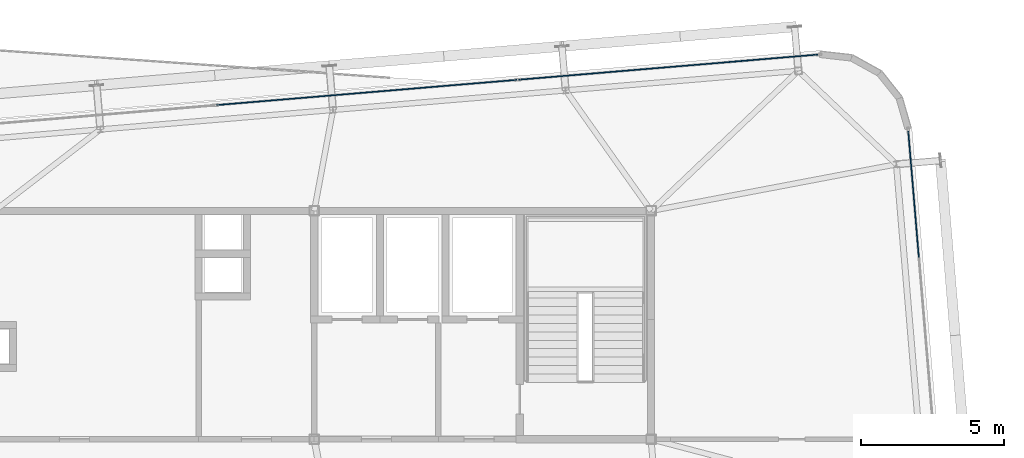
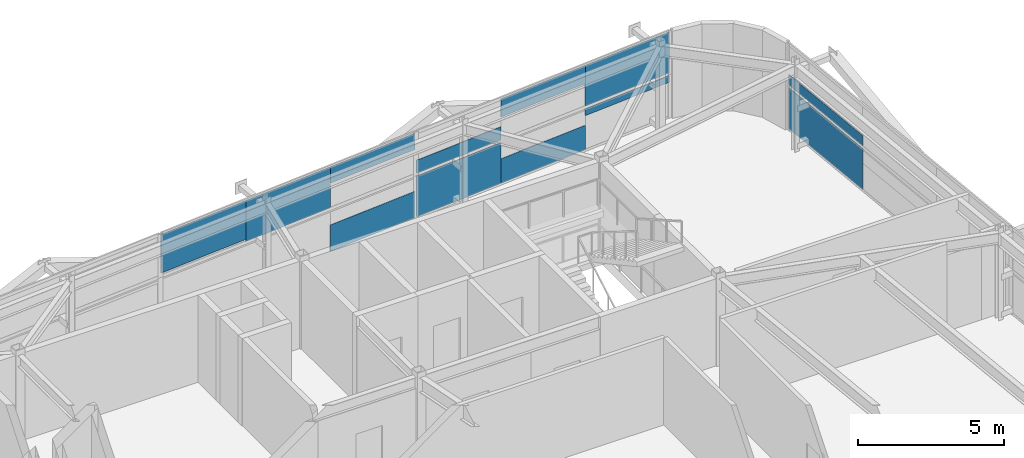
# One storey, part 24 of 38: 12 plates, 4 elements without a shape of their own.
"""IFC4 building model written with IfcOpenShell, lengths in metres."""

from ifc_helpers import new_model, si_unit, direction, frame, origin, origin_2d, place, context, subcontext, project, spatial, rectangle, extrude, source, transform, mapped, material, layer, layer_set, type_object, element, aggregate, save


model = new_model("IFC4")

# Units and contexts
model_context = context("Model", 3, precision=1e-05, world=origin(), true_north=direction((0.0, 1.0)))
body_context = subcontext(model_context, "Body", "Model", "MODEL_VIEW")
ifc_project = project(units=[si_unit("LENGTHUNIT", "METRE"), si_unit("AREAUNIT", "SQUARE_METRE"), si_unit("VOLUMEUNIT", "CUBIC_METRE"), si_unit("PLANEANGLEUNIT", "RADIAN"), si_unit("MASSUNIT", "GRAM", prefix="KILO")], contexts=[model_context])

# Site, building, storey
site_placement = place(None, origin())
site = spatial("IfcSite", under=ifc_project, at=site_placement, CompositionType="ELEMENT")
building_placement = place(site_placement, origin())
building = spatial("IfcBuilding", under=site, at=building_placement, Name="Taldren Reach Tower", CompositionType="ELEMENT")
storey_placement = place(building_placement, frame((0.0, 0.0, 168.699951171875)))
storey = spatial("IfcBuildingStorey", under=building, at=storey_placement, Name="L51", CompositionType="ELEMENT", Elevation=168.699951171875)

# Curtain wall, plates
ifc_material_1 = material(Name="Aluminium and Low-E Glass Unitised System", Category="aluminium")
ifc_layer_1 = layer(ifc_material_1, 0.159912109375)
ifc_layer_set_1 = layer_set([ifc_layer_1], Name="Aluminium and Low-E Glass Unitised System")
curtain_wall_type = type_object("IfcCurtainWallType", Name="CW-SYS-7", PredefinedType="NOTDEFINED", material=ifc_layer_set_1)
curtain_wall_1_placement = place(storey_placement, origin())
curtain_wall_1 = element("IfcCurtainWall", 1, at=curtain_wall_1_placement, inside=storey, type_object=curtain_wall_type, Name="Unitised curtain wall CW-L51-N", PredefinedType="NOTDEFINED")
ifc_material_2 = material(Name="Acoustic Triple-Laminated IGU", Category="glass")
ifc_layer_2 = layer(ifc_material_2, 0.035888671875)
ifc_layer_set_2 = layer_set([ifc_layer_2], Name="Acoustic Triple-Laminated IGU")
plate_type = type_object("IfcPlateType", Name="CW-PNL-IGU36", PredefinedType="CURTAIN_PANEL", material=ifc_layer_set_2)
shared_shape_1 = source(origin(), body_context, "Body", "SweptSolid", [
    extrude(rectangle(XDim=3.504150390625, YDim=0.035888671875, at=origin_2d()), origin(), (0.0, 0.0, 1.0), 0.27392578125),
])
plate_1_placement = place(storey_placement, frame((55.09423828125, 37.328125, 1.481201171875), z_axis=(0.0, 0.0, 1.0), x_axis=(-0.99649285657, -0.083677875247, 0.0)))
plate_1 = element("IfcPlate", 2, at=plate_1_placement, type_object=plate_type, Name="CW-7 panel 1.1 part 1", PredefinedType="CURTAIN_PANEL", context=body_context, shape_type="MappedRepresentation", body=[
    mapped(shared_shape_1, transform((0.0, 0.0, 0.0), scale=1.0)),
])
shared_shape_2 = source(origin(), body_context, "Body", "SweptSolid", [
    extrude(rectangle(XDim=3.504150390625, YDim=0.035888671875, at=origin_2d()), origin(), (0.0, 0.0, 1.0), 1.025634765625),
])
plate_2_placement = place(storey_placement, frame((51.602294921875, 37.034912109375, 0.06005859375), z_axis=(0.0, 0.0, 1.0), x_axis=(-0.99649285657, -0.083677875247, 0.0)))
plate_2 = element("IfcPlate", 3, at=plate_2_placement, type_object=plate_type, Name="CW-7 panel 1.1 part 2", PredefinedType="CURTAIN_PANEL", context=body_context, shape_type="MappedRepresentation", body=[
    mapped(shared_shape_2, transform((0.0, 0.0, 0.0), scale=1.0)),
])
shared_shape_3 = source(origin(), body_context, "Body", "SweptSolid", [
    extrude(rectangle(XDim=3.504150390625, YDim=0.035888671875, at=origin_2d()), origin(), (0.0, 0.0, 1.0), 1.695068359375),
])
plate_3_placement = place(storey_placement, frame((48.1103515625, 36.74169921875, 0.06005859375), z_axis=(0.0, 0.0, 1.0), x_axis=(-0.99649285657, -0.083677875247, 0.0)))
plate_3 = element("IfcPlate", 4, at=plate_3_placement, type_object=plate_type, Name="CW-7 panel 1.1 part 3", PredefinedType="CURTAIN_PANEL", context=body_context, shape_type="MappedRepresentation", body=[
    mapped(shared_shape_3, transform((0.0, 0.0, 0.0), scale=1.0)),
])

# Curtain wall, plate
curtain_wall_2_placement = place(storey_placement, origin())
curtain_wall_2 = element("IfcCurtainWall", 5, at=curtain_wall_2_placement, inside=storey, type_object=curtain_wall_type, Name="Unitised curtain wall CW-L51-N-T2", PredefinedType="NOTDEFINED")
plate_4_placement = place(storey_placement, frame((55.09423828125, 37.328125, 1.875), z_axis=(0.0, 0.0, 1.0), x_axis=(-0.99649285657, -0.083677875247, 0.0)))
plate_4 = element("IfcPlate", 6, at=plate_4_placement, type_object=plate_type, Name="CW-7 panel 1.1 part 1", PredefinedType="CURTAIN_PANEL", context=body_context, shape_type="MappedRepresentation", body=[
    mapped(shared_shape_3, transform((0.0, 0.0, 0.0), scale=1.0)),
])

# Plate
shared_shape_4 = source(origin(), body_context, "Body", "SweptSolid", [
    extrude(rectangle(XDim=3.5166015625, YDim=0.035888671875, at=origin_2d()), origin(), (0.0, 0.0, 1.0), 1.102783203125),
])
plate_5_placement = place(storey_placement, frame((44.53759765625, 36.44189453125, 0.06005859375), z_axis=(0.0, 0.0, 1.0), x_axis=(-0.99649285657, -0.083677875247, 0.0)))
plate_5 = element("IfcPlate", 7, at=plate_5_placement, type_object=plate_type, Name="CW-7 panel 2.1 part 1", PredefinedType="CURTAIN_PANEL", context=body_context, shape_type="MappedRepresentation", body=[
    mapped(shared_shape_4, transform((0.0, 0.0, 0.0), scale=1.0)),
])

aggregate(curtain_wall_1, [plate_1, plate_2, plate_3, plate_5])

shared_shape_5 = source(origin(), body_context, "Body", "SweptSolid", [
    extrude(rectangle(XDim=3.5166015625, YDim=0.035888671875, at=origin_2d()), origin(), (0.0, 0.0, 1.0), 1.695068359375),
])
plate_6_placement = place(storey_placement, frame((41.033203125, 36.1474609375, 1.875), z_axis=(0.0, 0.0, 1.0), x_axis=(-0.99649285657, -0.083677875247, 0.0)))
plate_6 = element("IfcPlate", 8, at=plate_6_placement, type_object=plate_type, Name="CW-7 panel 2.1 part 2", PredefinedType="CURTAIN_PANEL", context=body_context, shape_type="MappedRepresentation", body=[
    mapped(shared_shape_5, transform((0.0, 0.0, 0.0), scale=1.0)),
])

shared_shape_6 = source(origin(), body_context, "Body", "SweptSolid", [
    extrude(rectangle(XDim=3.504150390625, YDim=0.035888671875, at=origin_2d()), origin(), (0.0, 0.0, 1.0), 0.748046875),
])
plate_7_placement = place(storey_placement, frame((51.602294921875, 37.034912109375, 2.822021484375), z_axis=(0.0, 0.0, 1.0), x_axis=(-0.99649285657, -0.083677875247, 0.0)))
plate_7 = element("IfcPlate", 9, at=plate_7_placement, type_object=plate_type, Name="CW-7 panel 1.1 part 2", PredefinedType="CURTAIN_PANEL", context=body_context, shape_type="MappedRepresentation", body=[
    mapped(shared_shape_6, transform((0.0, 0.0, 0.0), scale=1.0)),
])

shared_shape_7 = source(origin(), body_context, "Body", "SweptSolid", [
    extrude(rectangle(XDim=3.504150390625, YDim=0.035888671875, at=origin_2d()), origin(), (0.0, 0.0, 1.0), 0.551513671875),
])
plate_8_placement = place(storey_placement, frame((48.1103515625, 36.74169921875, 1.875), z_axis=(0.0, 0.0, 1.0), x_axis=(-0.99649285657, -0.083677875247, 0.0)))
plate_8 = element("IfcPlate", 10, at=plate_8_placement, type_object=plate_type, Name="CW-7 panel 1.1 part 3", PredefinedType="CURTAIN_PANEL", context=body_context, shape_type="MappedRepresentation", body=[
    mapped(shared_shape_7, transform((0.0, 0.0, 0.0), scale=1.0)),
])

shared_shape_8 = source(origin(), body_context, "Body", "SweptSolid", [
    extrude(rectangle(XDim=3.5166015625, YDim=0.035888671875, at=origin_2d()), origin(), (0.0, 0.0, 1.0), 0.666015625),
])
plate_9_placement = place(storey_placement, frame((44.53759765625, 36.44189453125, 2.904052734375), z_axis=(0.0, 0.0, 1.0), x_axis=(-0.99649285657, -0.083677875247, 0.0)))
plate_9 = element("IfcPlate", 11, at=plate_9_placement, type_object=plate_type, Name="CW-7 panel 2.1 part 1", PredefinedType="CURTAIN_PANEL", context=body_context, shape_type="MappedRepresentation", body=[
    mapped(shared_shape_8, transform((0.0, 0.0, 0.0), scale=1.0)),
])

shared_shape_9 = source(origin(), body_context, "Body", "SweptSolid", [
    extrude(rectangle(XDim=3.5166015625, YDim=0.035888671875, at=origin_2d()), origin(), (0.0, 0.0, 1.0), 1.6015625),
])
plate_10_placement = place(storey_placement, frame((37.52880859375, 35.853271484375, 1.968505859375), z_axis=(0.0, 0.0, 1.0), x_axis=(-0.99649285657, -0.083677875247, 0.0)))
plate_10 = element("IfcPlate", 12, at=plate_10_placement, type_object=plate_type, Name="CW-7 panel 2.1 part 3", PredefinedType="CURTAIN_PANEL", context=body_context, shape_type="MappedRepresentation", body=[
    mapped(shared_shape_9, transform((0.0, 0.0, 0.0), scale=1.0)),
])

aggregate(curtain_wall_2, [plate_4, plate_7, plate_8, plate_9, plate_6, plate_10])

# Curtain wall, plate
curtain_wall_3_placement = place(storey_placement, origin())
curtain_wall_3 = element("IfcCurtainWall", 13, at=curtain_wall_3_placement, inside=storey, type_object=curtain_wall_type, Name="Unitised curtain wall CW-L51-E", PredefinedType="NOTDEFINED")
shared_shape_10 = source(origin(), body_context, "Body", "SweptSolid", [
    extrude(rectangle(XDim=4.42919921875, YDim=0.035888671875, at=origin_2d()), origin(), (0.0, 0.0, 1.0), 1.695068359375),
])
plate_11_placement = place(storey_placement, frame((60.19580078125, 32.5888671875, 0.06005859375), z_axis=(0.0, 0.0, 1.0), x_axis=(-0.083677979808, 0.996492847789, 0.0)))
plate_11 = element("IfcPlate", 14, at=plate_11_placement, type_object=plate_type, Name="CW-7 panel 2.1 part 2", PredefinedType="CURTAIN_PANEL", context=body_context, shape_type="MappedRepresentation", body=[
    mapped(shared_shape_10, transform((0.0, 0.0, 0.0), scale=1.0)),
])
aggregate(curtain_wall_3, [plate_11])

curtain_wall_4_placement = place(storey_placement, origin())
curtain_wall_4 = element("IfcCurtainWall", 15, at=curtain_wall_4_placement, inside=storey, type_object=curtain_wall_type, Name="Unitised curtain wall CW-L51-E-T2", PredefinedType="NOTDEFINED")
shared_shape_11 = source(origin(), body_context, "Body", "SweptSolid", [
    extrude(rectangle(XDim=4.42919921875, YDim=0.035888671875, at=origin_2d()), origin(), (0.0, 0.0, 1.0), 0.4365234375),
])
plate_12_placement = place(storey_placement, frame((60.19580078125, 32.5888671875, 1.875), z_axis=(0.0, 0.0, 1.0), x_axis=(-0.083677979808, 0.996492847789, 0.0)))
plate_12 = element("IfcPlate", 16, at=plate_12_placement, type_object=plate_type, Name="CW-7 panel 2.1 part 3", PredefinedType="CURTAIN_PANEL", context=body_context, shape_type="MappedRepresentation", body=[
    mapped(shared_shape_11, transform((0.0, 0.0, 0.0), scale=1.0)),
])
aggregate(curtain_wall_4, [plate_12])

save(model, "model.ifc")
